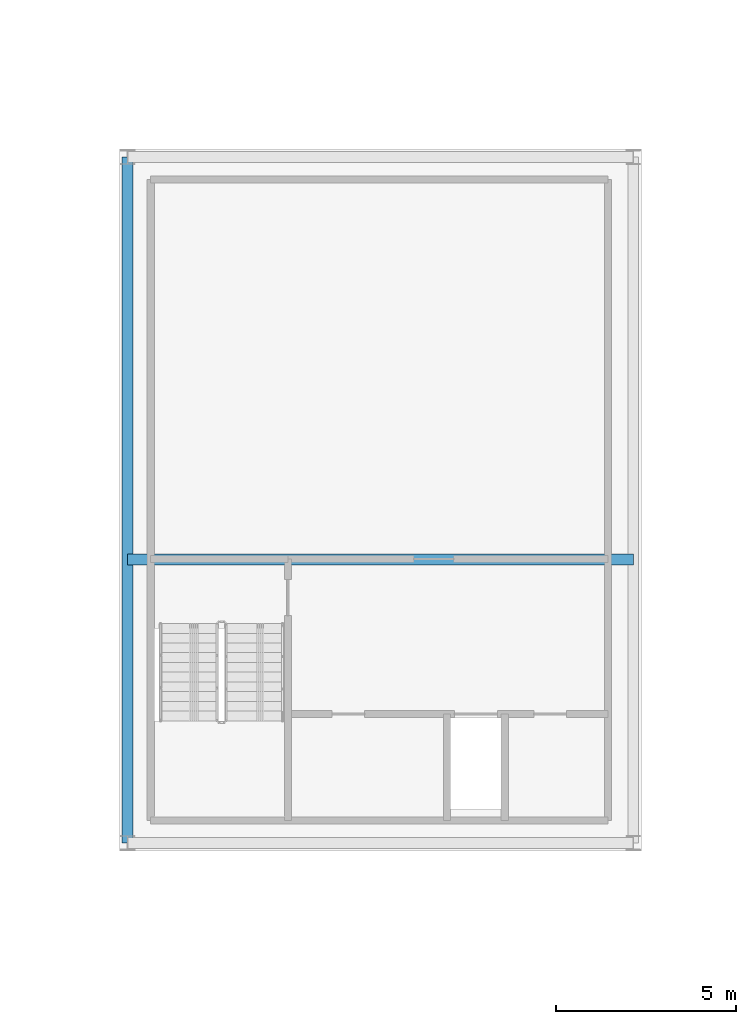
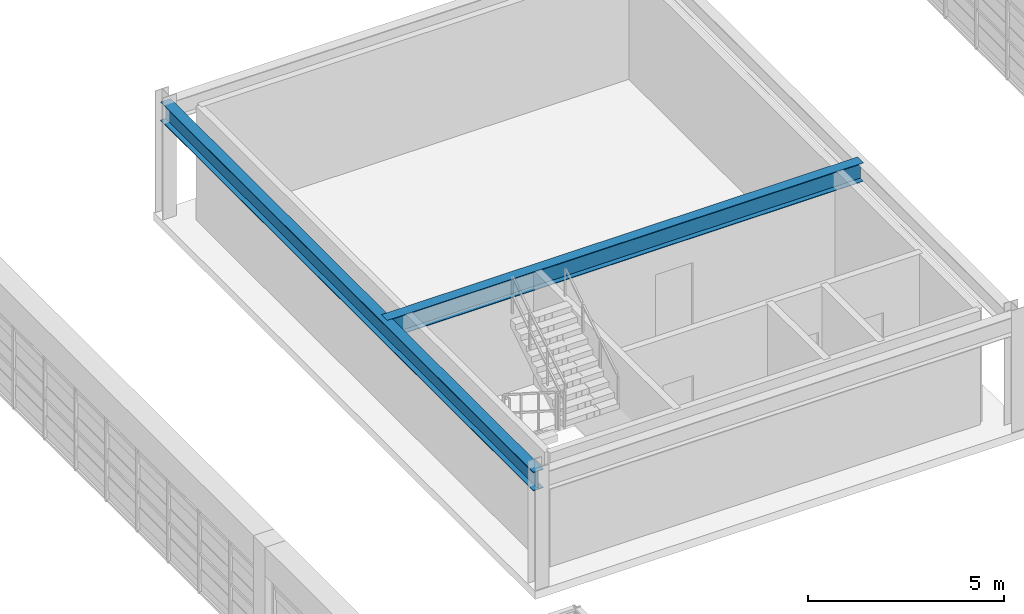
# One storey, part 11 of 27: 2 beams.
"""IFC4 building model written with IfcOpenShell, lengths in metres."""

from ifc_helpers import new_model, si_unit, direction, frame, origin, origin_2d, place, context, subcontext, project, spatial, i_section, extrude, source, transform, mapped, material, material_profile, profile_set, type_object, element, save


model = new_model("IFC4")

# Units and contexts
model_context = context("Model", 3, precision=1e-05, world=origin(), true_north=direction((0.0, 1.0)))
body_context = subcontext(model_context, "Body", "Model", "MODEL_VIEW")
ifc_project = project(units=[si_unit("LENGTHUNIT", "METRE"), si_unit("AREAUNIT", "SQUARE_METRE"), si_unit("VOLUMEUNIT", "CUBIC_METRE"), si_unit("PLANEANGLEUNIT", "RADIAN"), si_unit("MASSUNIT", "GRAM", prefix="KILO")], contexts=[model_context])

# Site, building, storey
site_placement = place(None, origin())
site = spatial("IfcSite", under=ifc_project, at=site_placement, CompositionType="ELEMENT")
building_placement = place(site_placement, origin())
building = spatial("IfcBuilding", under=site, at=building_placement, Name="Saelheon Loggia Tower", CompositionType="ELEMENT")
storey_placement = place(building_placement, frame((0.0, 0.0, 263.60009765625)))
storey = spatial("IfcBuildingStorey", under=building, at=storey_placement, Name="CR4", CompositionType="ELEMENT", Elevation=263.60009765625)

# Beams
ifc_material = material(Name="Steel SM355", Category="steel")
ifc_material_profile = material_profile(ifc_material, i_section(OverallWidth=0.300048828125, OverallDepth=0.587890625, WebThickness=0.011962890625, FlangeThickness=0.02001953125, at=origin_2d()), Name="H-588x300x12x20")
ifc_profile_set = profile_set([ifc_material_profile], Name="Steel SM355")
beam_type = type_object("IfcBeamType", Name="Beam_Girder_Steel_H588", PredefinedType="BEAM", material=ifc_profile_set)
shared_shape_1 = source(origin(), body_context, "Body", "SweptSolid", [
    extrude(i_section(OverallWidth=0.300048828125, OverallDepth=0.587890625, WebThickness=0.011962890625, FlangeThickness=0.02001953125, at=origin_2d()), origin(), (0.0, 0.0, 1.0), 14.0400390625),
])
beam_1_placement = place(storey_placement, frame((30.97998046875, 25.35009765625, 3.255859375), z_axis=(1.0, 0.0, 0.0), x_axis=(0.0, 1.0, 0.0)))
element("IfcBeam", 1, at=beam_1_placement, inside=storey, type_object=beam_type, Name="BM-CR4-PL-ST5", PredefinedType="BEAM", context=body_context, shape_type="MappedRepresentation", body=[
    mapped(shared_shape_1, transform((0.0, 0.0, 0.0), scale=1.0)),
])
shared_shape_2 = source(origin(), body_context, "Body", "SweptSolid", [
    extrude(i_section(OverallWidth=0.300048828125, OverallDepth=0.587890625, WebThickness=0.011962890625, FlangeThickness=0.02001953125, at=origin_2d()), origin(), (0.0, 0.0, 1.0), 19.0400390625),
])
beam_2_placement = place(storey_placement, frame((30.97998046875, 17.47998046875, 3.255859375), z_axis=(0.0, 1.0, 0.0), x_axis=(-1.0, 0.0, 0.0)))
element("IfcBeam", 2, at=beam_2_placement, inside=storey, type_object=beam_type, Name="BM-CR4-PL-W", PredefinedType="BEAM", context=body_context, shape_type="MappedRepresentation", body=[
    mapped(shared_shape_2, transform((0.0, 0.0, 0.0), scale=1.0)),
])

save(model, "model.ifc")
